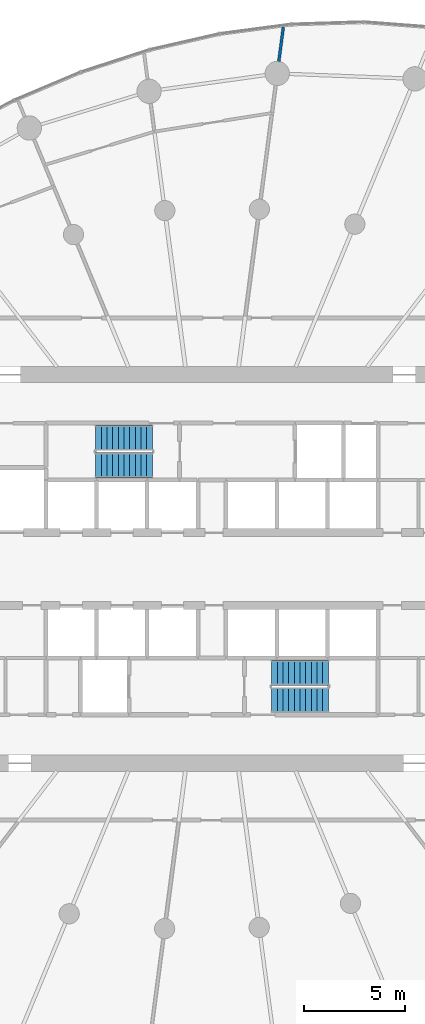
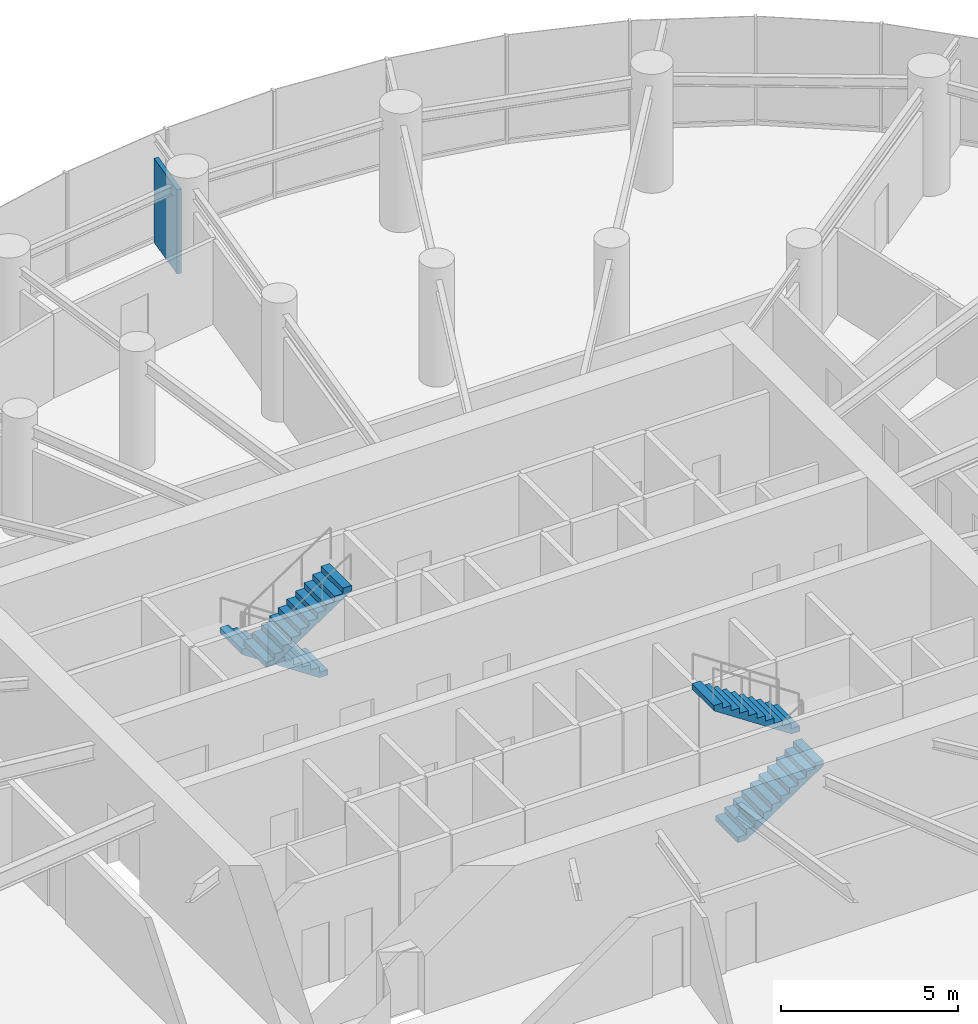
# One storey, part 15 of 18: 4 stair flights, 1 wall, 2 elements without a shape of their own.
"""IFC4 building model written with IfcOpenShell, lengths in metres."""

from ifc_helpers import new_model, si_unit, direction, frame, frame_2d, origin, place, context, subcontext, project, spatial, line, indexed_curve, rectangle, outline, extrude, material, layer, layer_set, type_object, element, aggregate, save


model = new_model("IFC4")

# Units and contexts
model_context = context("Model", 3, precision=1e-05, world=origin(), true_north=direction((0.0, 1.0)))
body_context = subcontext(model_context, "Body", "Model", "MODEL_VIEW")
ifc_project = project(units=[si_unit("LENGTHUNIT", "METRE"), si_unit("AREAUNIT", "SQUARE_METRE"), si_unit("VOLUMEUNIT", "CUBIC_METRE"), si_unit("PLANEANGLEUNIT", "RADIAN"), si_unit("MASSUNIT", "GRAM", prefix="KILO")], contexts=[model_context])

# Site, building, storey
site_placement = place(None, origin())
site = spatial("IfcSite", under=ifc_project, at=site_placement, CompositionType="ELEMENT")
building_placement = place(site_placement, origin())
building = spatial("IfcBuilding", under=site, at=building_placement, Name="Spindrift Exchange Tower", CompositionType="ELEMENT")
storey_placement = place(building_placement, frame((0.0, 0.0, 116.699951171875)))
storey = spatial("IfcBuildingStorey", under=building, at=storey_placement, Name="L27", CompositionType="ELEMENT", Elevation=116.699951171875)

# Wall
ifc_material_1 = material(Name="Fire-rated plasterboard partition", Category="gypsum")
ifc_layer = layer(ifc_material_1, 0.139892578125)
ifc_layer_set = layer_set([ifc_layer], Name="W-PLANT-140")
wall_type = type_object("IfcWallType", Name="W-PLANT-140", PredefinedType="PARTITIONING", material=ifc_layer_set)
wall_placement = place(storey_placement, frame((55.30126953125, 73.075927734375, 0.0), z_axis=(0.0, 0.0, 1.0), x_axis=(0.130536236518, 0.991443538965, 0.0)))
element("IfcWall", 1, at=wall_placement, inside=storey, type_object=wall_type, Name="L27 Partition wall 109", PredefinedType="PARTITIONING", context=body_context, shape_type="SweptSolid", body=[
    extrude(rectangle(XDim=1.7001953125, YDim=0.139892578125, at=frame_2d((0.85009765625, 0.0))), origin(), (0.0, 0.0, 1.0), 2.900146484375),
])

# Stair, stair flights
ifc_material_2 = material(Name="Concrete 50 MPa", Category="concrete")
stair_type = type_object("IfcStairType", Name="ST-1250-R186", PredefinedType="HALF_TURN_STAIR", material=ifc_material_2)
stair_1_placement = place(storey_placement, origin())
stair_1 = element("IfcStair", 2, at=stair_1_placement, inside=storey, type_object=stair_type, Name="L27 Exit stair ST1", PredefinedType="HALF_TURN_STAIR")
stair_flight_type = type_object("IfcStairFlightType", Name="STF-1250-R186", PredefinedType="STRAIGHT", material=ifc_material_2)
stair_flight_1_placement = place(storey_placement, frame((49.050048828125, 54.47509765625, 0.0), z_axis=(0.0, 0.0, 1.0), x_axis=(-1.0, 0.0, 0.0)))
stair_flight_1 = element("IfcStairFlight", 3, at=stair_flight_1_placement, type_object=stair_flight_type, Name="ST1 flight 1", NumberOfRisers=11, NumberOfTreads=10, PredefinedType="STRAIGHT", RiserHeight=0.186363636, TreadLength=0.28, context=body_context, shape_type="SweptSolid", body=[
    extrude(outline(indexed_curve([(0.0, 0.0), (0.0, 0.1865234375), (0.2802734375, 0.1865234375), (0.2802734375, 0.373046875), (0.5595703125, 0.373046875), (0.5595703125, 0.5595703125), (0.83984375, 0.5595703125), (0.83984375, 0.7451171875), (1.1201171875, 0.7451171875), (1.1201171875, 0.931640625), (1.400390625, 0.931640625), (1.400390625, 1.1181640625), (1.6796875, 1.1181640625), (1.6796875, 1.3046875), (1.9599609375, 1.3046875), (1.9599609375, 1.4912109375), (2.240234375, 1.4912109375), (2.240234375, 1.677734375), (2.51953125, 1.677734375), (2.51953125, 1.86328125), (2.7998046875, 1.86328125), (2.7998046875, 2.0498046875), (2.7998046875, 1.68359375), (0.2705078125, 0.0)], segments=[line(1, 2, 3, 4, 5, 6, 7, 8, 9, 10, 11, 12, 13, 14, 15, 16, 17, 18, 19, 20, 21, 22, 23, 24, 1)], self_intersect=False)), frame((0.0, 0.625, 0.0), z_axis=(0.0, -1.0, 0.0), x_axis=(1.0, 0.0, 0.0)), (0.0, 0.0, 1.0), 1.25),
])
stair_flight_2_placement = place(storey_placement, frame((46.25, 53.125, 2.050048828125), z_axis=(0.0, 0.0, 1.0), x_axis=(1.0, 0.0, 0.0)))
stair_flight_2 = element("IfcStairFlight", 4, at=stair_flight_2_placement, type_object=stair_flight_type, Name="ST1 flight 2", NumberOfRisers=11, NumberOfTreads=10, PredefinedType="STRAIGHT", RiserHeight=0.186363636, TreadLength=0.28, context=body_context, shape_type="SweptSolid", body=[
    extrude(outline(indexed_curve([(0.0, 0.0), (0.0, 0.1865234375), (0.2802734375, 0.1865234375), (0.2802734375, 0.373046875), (0.5595703125, 0.373046875), (0.5595703125, 0.5595703125), (0.83984375, 0.5595703125), (0.83984375, 0.7451171875), (1.1201171875, 0.7451171875), (1.1201171875, 0.931640625), (1.400390625, 0.931640625), (1.400390625, 1.1181640625), (1.6796875, 1.1181640625), (1.6796875, 1.3046875), (1.9599609375, 1.3046875), (1.9599609375, 1.4912109375), (2.240234375, 1.4912109375), (2.240234375, 1.677734375), (2.51953125, 1.677734375), (2.51953125, 1.86328125), (2.7998046875, 1.86328125), (2.7998046875, 2.0498046875), (2.7998046875, 1.68359375), (0.2705078125, 0.0)], segments=[line(1, 2, 3, 4, 5, 6, 7, 8, 9, 10, 11, 12, 13, 14, 15, 16, 17, 18, 19, 20, 21, 22, 23, 24, 1)], self_intersect=False)), frame((0.0, 0.625, 0.0), z_axis=(0.0, -1.0, 0.0), x_axis=(1.0, 0.0, 0.0)), (0.0, 0.0, 1.0), 1.25),
])
aggregate(stair_1, [stair_flight_1, stair_flight_2])

stair_2_placement = place(storey_placement, origin())
stair_2 = element("IfcStair", 5, at=stair_2_placement, inside=storey, type_object=stair_type, Name="L27 Exit stair ST2", PredefinedType="HALF_TURN_STAIR")
stair_flight_3_placement = place(storey_placement, frame((54.949951171875, 41.52490234375, 0.0), z_axis=(0.0, 0.0, 1.0), x_axis=(1.0, 0.0, 0.0)))
stair_flight_3 = element("IfcStairFlight", 6, at=stair_flight_3_placement, type_object=stair_flight_type, Name="ST2 flight 1", NumberOfRisers=11, NumberOfTreads=10, PredefinedType="STRAIGHT", RiserHeight=0.186363636, TreadLength=0.28, context=body_context, shape_type="SweptSolid", body=[
    extrude(outline(indexed_curve([(0.0, 0.0), (0.0, 0.1865234375), (0.2802734375, 0.1865234375), (0.2802734375, 0.373046875), (0.5595703125, 0.373046875), (0.5595703125, 0.5595703125), (0.83984375, 0.5595703125), (0.83984375, 0.7451171875), (1.1201171875, 0.7451171875), (1.1201171875, 0.931640625), (1.400390625, 0.931640625), (1.400390625, 1.1181640625), (1.6796875, 1.1181640625), (1.6796875, 1.3046875), (1.9599609375, 1.3046875), (1.9599609375, 1.4912109375), (2.240234375, 1.4912109375), (2.240234375, 1.677734375), (2.51953125, 1.677734375), (2.51953125, 1.86328125), (2.7998046875, 1.86328125), (2.7998046875, 2.0498046875), (2.7998046875, 1.68359375), (0.2705078125, 0.0)], segments=[line(1, 2, 3, 4, 5, 6, 7, 8, 9, 10, 11, 12, 13, 14, 15, 16, 17, 18, 19, 20, 21, 22, 23, 24, 1)], self_intersect=False)), frame((0.0, 0.625, 0.0), z_axis=(0.0, -1.0, 0.0), x_axis=(1.0, 0.0, 0.0)), (0.0, 0.0, 1.0), 1.25),
])
stair_flight_4_placement = place(storey_placement, frame((57.75, 42.875, 2.050048828125), z_axis=(0.0, 0.0, 1.0), x_axis=(-1.0, 0.0, 0.0)))
stair_flight_4 = element("IfcStairFlight", 7, at=stair_flight_4_placement, type_object=stair_flight_type, Name="ST2 flight 2", NumberOfRisers=11, NumberOfTreads=10, PredefinedType="STRAIGHT", RiserHeight=0.186363636, TreadLength=0.28, context=body_context, shape_type="SweptSolid", body=[
    extrude(outline(indexed_curve([(0.0, 0.0), (0.0, 0.1865234375), (0.2802734375, 0.1865234375), (0.2802734375, 0.373046875), (0.5595703125, 0.373046875), (0.5595703125, 0.5595703125), (0.83984375, 0.5595703125), (0.83984375, 0.7451171875), (1.1201171875, 0.7451171875), (1.1201171875, 0.931640625), (1.400390625, 0.931640625), (1.400390625, 1.1181640625), (1.6796875, 1.1181640625), (1.6796875, 1.3046875), (1.9599609375, 1.3046875), (1.9599609375, 1.4912109375), (2.240234375, 1.4912109375), (2.240234375, 1.677734375), (2.51953125, 1.677734375), (2.51953125, 1.86328125), (2.7998046875, 1.86328125), (2.7998046875, 2.0498046875), (2.7998046875, 1.68359375), (0.2705078125, 0.0)], segments=[line(1, 2, 3, 4, 5, 6, 7, 8, 9, 10, 11, 12, 13, 14, 15, 16, 17, 18, 19, 20, 21, 22, 23, 24, 1)], self_intersect=False)), frame((0.0, 0.625, 0.0), z_axis=(0.0, -1.0, 0.0), x_axis=(1.0, 0.0, 0.0)), (0.0, 0.0, 1.0), 1.25),
])
aggregate(stair_2, [stair_flight_3, stair_flight_4])

save(model, "model.ifc")
